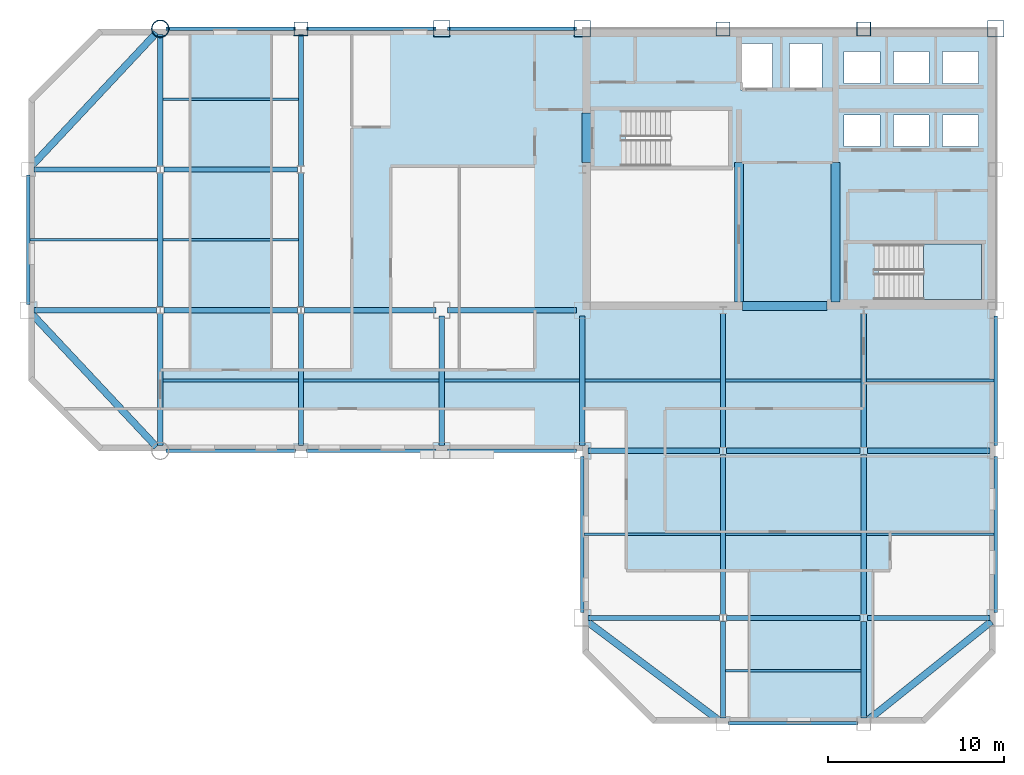
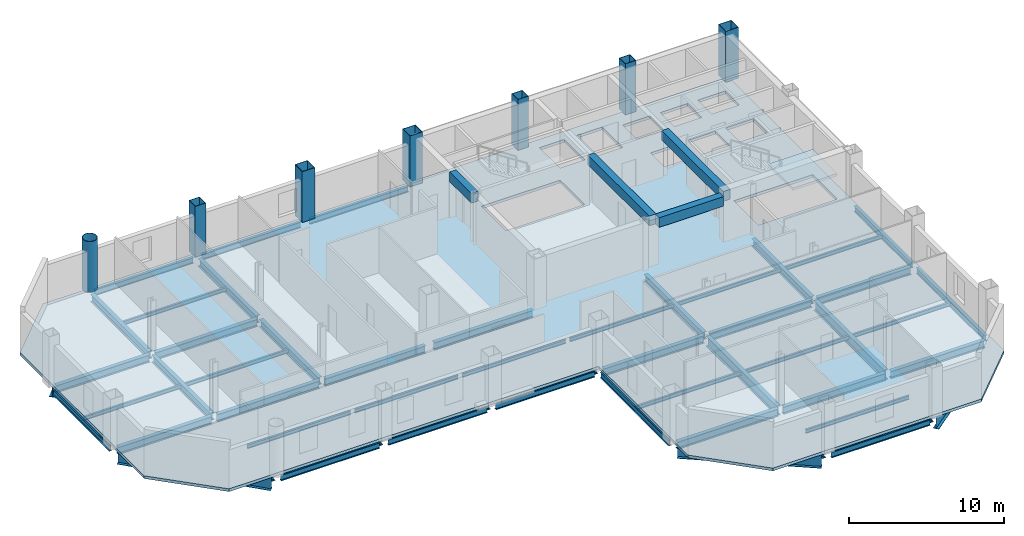
# One storey, part 3 of 11: 58 beams, 7 columns, 2 slabs, 1 element without a shape of its own.
"""IFC4 building model written with IfcOpenShell, lengths in metres."""

from ifc_helpers import new_model, si_unit, direction, frame, origin, origin_2d, place, context, subcontext, project, spatial, polyline, rectangle, hollow_rectangle, hollow_circle, i_section, outline, extrude, material, layer, layer_set, material_profile, profile_set, type_object, element, aggregate, save


model = new_model("IFC4")

# Units and contexts
model_context = context("Model", 3, precision=1e-05, world=origin(), true_north=direction((0.0, 1.0)))
body_context = subcontext(model_context, "Body", "Model", "MODEL_VIEW")
ifc_project = project(units=[si_unit("LENGTHUNIT", "METRE"), si_unit("AREAUNIT", "SQUARE_METRE"), si_unit("VOLUMEUNIT", "CUBIC_METRE"), si_unit("PLANEANGLEUNIT", "RADIAN"), si_unit("MASSUNIT", "GRAM", prefix="KILO")], contexts=[model_context])

# Site, building, storey
site_placement = place(None, origin())
site = spatial("IfcSite", under=ifc_project, at=site_placement, CompositionType="ELEMENT")
building_placement = place(site_placement, origin())
building = spatial("IfcBuilding", under=site, at=building_placement, Name="Qianrong Seaharbour Tower", CompositionType="ELEMENT")
storey_placement = place(building_placement, frame((0.0, 0.0, 277.800048828125)))
storey = spatial("IfcBuildingStorey", under=building, at=storey_placement, Name="L67", CompositionType="ELEMENT", Elevation=277.800048828125)

# Columns
ifc_material_1 = material(Name="Structural steel SN490B", Category="steel")
ifc_material_profile_1 = material_profile(ifc_material_1, hollow_rectangle(XDim=0.949951171875, YDim=0.949951171875, WallThickness=0.035888671875, at=origin_2d()), Name="BOX950x950x36")
ifc_profile_set_1 = profile_set([ifc_material_profile_1], Name="Structural steel SN490B")
column_type_1 = type_object("IfcColumnType", Name="COL-CFT-950", PredefinedType="COLUMN", material=ifc_profile_set_1)
for number, where, z_axis, x_axis, name in (
    (1, (32.5, 52.0, 0.0), (0.0, 0.0, 1.0), (1.0, 0.0, 0.0), "L67 Column MC-4 at G5/GH"),
    (2, (40.5, 52.0, 0.0), (0.0, 0.0, 1.0), (1.0, 0.0, 0.0), "L67 Column MC-4 at G6/GH"),
    (3, (64.0, 52.0, 0.0), (0.0, 0.0, 1.0), (1.0, 0.0, 0.0), "L67 Column MC-4 at G9/GH"),
):
    element("IfcColumn", number, at=place(storey_placement, frame(where, z_axis=z_axis, x_axis=x_axis)), inside=storey, type_object=column_type_1, Name=name, PredefinedType="COLUMN", context=body_context, shape_type="SweptSolid", body=[
        extrude(hollow_rectangle(XDim=0.949951171875, YDim=0.949951171875, WallThickness=0.035888671875, at=origin_2d()), origin(), (0.0, 0.0, 1.0), 4.0),
    ])
ifc_material_profile_2 = material_profile(ifc_material_1, hollow_circle(Radius=0.5, WallThickness=0.035888671875, at=origin_2d()), Name="CHS1000x36")
ifc_profile_set_2 = profile_set([ifc_material_profile_2], Name="Structural steel SN490B")
column_type_2 = type_object("IfcColumnType", Name="COL-CHS-1000", PredefinedType="COLUMN", material=ifc_profile_set_2)
column_placement = place(storey_placement, frame((16.5, 52.0, 0.0), z_axis=(0.0, 0.0, 1.0), x_axis=(1.0, 0.0, 0.0)))
element("IfcColumn", 4, at=column_placement, inside=storey, type_object=column_type_2, Name="L67 Column CC-2 at G3/GH", PredefinedType="COLUMN", context=body_context, shape_type="SweptSolid", body=[
    extrude(hollow_circle(Radius=0.5, WallThickness=0.035888671875, at=origin_2d()), origin(), (0.0, 0.0, 1.0), 4.0),
])
ifc_material_profile_3 = material_profile(ifc_material_1, hollow_rectangle(XDim=0.800048828125, YDim=0.800048828125, WallThickness=0.031982421875, at=origin_2d()), Name="BOX800x800x32")
ifc_profile_set_3 = profile_set([ifc_material_profile_3], Name="Structural steel SN490B")
column_type_3 = type_object("IfcColumnType", Name="COL-PER-800", PredefinedType="COLUMN", material=ifc_profile_set_3)
for number, where, z_axis, x_axis, name in (
    (5, (24.5, 52.0, 0.0), (0.0, 0.0, 1.0), (1.0, 0.0, 0.0), "L67 Column PC-3 at G4/GH"),
    (6, (48.5, 52.0, 0.0), (0.0, 0.0, 1.0), (1.0, 0.0, 0.0), "L67 Column PC-3 at G7/GH"),
    (7, (56.5, 52.0, 0.0), (0.0, 0.0, 1.0), (1.0, 0.0, 0.0), "L67 Column PC-3 at G8/GH"),
):
    element("IfcColumn", number, at=place(storey_placement, frame(where, z_axis=z_axis, x_axis=x_axis)), inside=storey, type_object=column_type_3, Name=name, PredefinedType="COLUMN", context=body_context, shape_type="SweptSolid", body=[
        extrude(hollow_rectangle(XDim=0.800048828125, YDim=0.800048828125, WallThickness=0.031982421875, at=origin_2d()), origin(), (0.0, 0.0, 1.0), 4.0),
    ])

# Beams
ifc_material_profile_4 = material_profile(ifc_material_1, i_section(OverallWidth=0.300048828125, OverallDepth=0.587890625, WebThickness=0.011962890625, FlangeThickness=0.02001953125, FilletRadius=0.02392578125, at=origin_2d()), Name="H588x300x12x20")
ifc_profile_set_4 = profile_set([ifc_material_profile_4], Name="Structural steel SN490B")
beam_type_1 = type_object("IfcBeamType", Name="BM-G-588", PredefinedType="BEAM", material=ifc_profile_set_4)
beam_1_placement = place(storey_placement, frame((40.820068359375, 18.5, -0.51904296875), z_axis=(1.0, 0.0, 0.0), x_axis=(0.0, 1.0, 0.0)))
element("IfcBeam", 8, at=beam_1_placement, inside=storey, type_object=beam_type_1, Name="L67 Primary Girder GD G6-G7", PredefinedType="BEAM", context=body_context, shape_type="SweptSolid", body=[
    extrude(i_section(OverallWidth=0.300048828125, OverallDepth=0.587890625, WebThickness=0.011962890625, FlangeThickness=0.02001953125, FilletRadius=0.02392578125, at=origin_2d()), origin(), (0.0, 0.0, 1.0), 7.47998046875),
])
beam_2_placement = place(storey_placement, frame((48.699951171875, 18.5, -0.51904296875), z_axis=(1.0, 0.0, 0.0), x_axis=(0.0, 1.0, 0.0)))
element("IfcBeam", 9, at=beam_2_placement, inside=storey, type_object=beam_type_1, Name="L67 Primary Girder GD G7-G8", PredefinedType="BEAM", context=body_context, shape_type="SweptSolid", body=[
    extrude(i_section(OverallWidth=0.300048828125, OverallDepth=0.587890625, WebThickness=0.011962890625, FlangeThickness=0.02001953125, FilletRadius=0.02392578125, at=origin_2d()), origin(), (0.0, 0.0, 1.0), 7.60009765625),
])
beam_3_placement = place(storey_placement, frame((56.699951171875, 18.5, -0.51904296875), z_axis=(1.0, 0.0, 0.0), x_axis=(0.0, 1.0, 0.0)))
element("IfcBeam", 10, at=beam_3_placement, inside=storey, type_object=beam_type_1, Name="L67 Primary Girder GD G8-G9", PredefinedType="BEAM", context=body_context, shape_type="SweptSolid", body=[
    extrude(i_section(OverallWidth=0.300048828125, OverallDepth=0.587890625, WebThickness=0.011962890625, FlangeThickness=0.02001953125, FilletRadius=0.02392578125, at=origin_2d()), origin(), (0.0, 0.0, 1.0), 6.97998046875),
])
beam_4_placement = place(storey_placement, frame((40.820068359375, 28.0, -0.51904296875), z_axis=(1.0, 0.0, 0.0), x_axis=(0.0, 1.0, 0.0)))
element("IfcBeam", 11, at=beam_4_placement, inside=storey, type_object=beam_type_1, Name="L67 Primary Girder GE G6-G7", PredefinedType="BEAM", context=body_context, shape_type="SweptSolid", body=[
    extrude(i_section(OverallWidth=0.300048828125, OverallDepth=0.587890625, WebThickness=0.011962890625, FlangeThickness=0.02001953125, FilletRadius=0.02392578125, at=origin_2d()), origin(), (0.0, 0.0, 1.0), 7.47998046875),
])
beam_5_placement = place(storey_placement, frame((48.699951171875, 28.0, -0.51904296875), z_axis=(1.0, 0.0, 0.0), x_axis=(0.0, 1.0, 0.0)))
element("IfcBeam", 12, at=beam_5_placement, inside=storey, type_object=beam_type_1, Name="L67 Primary Girder GE G7-G8", PredefinedType="BEAM", context=body_context, shape_type="SweptSolid", body=[
    extrude(i_section(OverallWidth=0.300048828125, OverallDepth=0.587890625, WebThickness=0.011962890625, FlangeThickness=0.02001953125, FilletRadius=0.02392578125, at=origin_2d()), origin(), (0.0, 0.0, 1.0), 7.60009765625),
])
for number, where, z_axis, x_axis, name in (
    (13, (56.699951171875, 28.0, -0.51904296875), (1.0, 0.0, 0.0), (0.0, 1.0, 0.0), "L67 Primary Girder GE G8-G9"),
    (14, (9.320068359375, 36.0, -0.51904296875), (1.0, 0.0, 0.0), (0.0, 1.0, 0.0), "L67 Primary Girder GF G2-G3"),
):
    element("IfcBeam", number, at=place(storey_placement, frame(where, z_axis=z_axis, x_axis=x_axis)), inside=storey, type_object=beam_type_1, Name=name, PredefinedType="BEAM", context=body_context, shape_type="SweptSolid", body=[
        extrude(i_section(OverallWidth=0.300048828125, OverallDepth=0.587890625, WebThickness=0.011962890625, FlangeThickness=0.02001953125, FilletRadius=0.02392578125, at=origin_2d()), origin(), (0.0, 0.0, 1.0), 6.97998046875),
    ])
beam_6_placement = place(storey_placement, frame((16.699951171875, 36.0, -0.51904296875), z_axis=(1.0, 0.0, 0.0), x_axis=(0.0, 1.0, 0.0)))
element("IfcBeam", 15, at=beam_6_placement, inside=storey, type_object=beam_type_1, Name="L67 Primary Girder GF G3-G4", PredefinedType="BEAM", context=body_context, shape_type="SweptSolid", body=[
    extrude(i_section(OverallWidth=0.300048828125, OverallDepth=0.587890625, WebThickness=0.011962890625, FlangeThickness=0.02001953125, FilletRadius=0.02392578125, at=origin_2d()), origin(), (0.0, 0.0, 1.0), 7.60009765625),
])
beam_7_placement = place(storey_placement, frame((24.699951171875, 36.0, -0.51904296875), z_axis=(1.0, 0.0, 0.0), x_axis=(0.0, 1.0, 0.0)))
element("IfcBeam", 16, at=beam_7_placement, inside=storey, type_object=beam_type_1, Name="L67 Primary Girder GF G4-G5", PredefinedType="BEAM", context=body_context, shape_type="SweptSolid", body=[
    extrude(i_section(OverallWidth=0.300048828125, OverallDepth=0.587890625, WebThickness=0.011962890625, FlangeThickness=0.02001953125, FilletRadius=0.02392578125, at=origin_2d()), origin(), (0.0, 0.0, 1.0), 7.47998046875),
])
beam_8_placement = place(storey_placement, frame((32.820068359375, 36.0, -0.51904296875), z_axis=(1.0, 0.0, 0.0), x_axis=(0.0, 1.0, 0.0)))
element("IfcBeam", 17, at=beam_8_placement, inside=storey, type_object=beam_type_1, Name="L67 Primary Girder GF G5-G6", PredefinedType="BEAM", context=body_context, shape_type="SweptSolid", body=[
    extrude(i_section(OverallWidth=0.300048828125, OverallDepth=0.587890625, WebThickness=0.011962890625, FlangeThickness=0.02001953125, FilletRadius=0.02392578125, at=origin_2d()), origin(), (0.0, 0.0, 1.0), 7.35986328125),
])
beam_9_placement = place(storey_placement, frame((9.320068359375, 44.0, -0.51904296875), z_axis=(1.0, 0.0, 0.0), x_axis=(0.0, 1.0, 0.0)))
element("IfcBeam", 18, at=beam_9_placement, inside=storey, type_object=beam_type_1, Name="L67 Primary Girder GG G2-G3", PredefinedType="BEAM", context=body_context, shape_type="SweptSolid", body=[
    extrude(i_section(OverallWidth=0.300048828125, OverallDepth=0.587890625, WebThickness=0.011962890625, FlangeThickness=0.02001953125, FilletRadius=0.02392578125, at=origin_2d()), origin(), (0.0, 0.0, 1.0), 6.97998046875),
])
beam_10_placement = place(storey_placement, frame((16.699951171875, 44.0, -0.51904296875), z_axis=(1.0, 0.0, 0.0), x_axis=(0.0, 1.0, 0.0)))
element("IfcBeam", 19, at=beam_10_placement, inside=storey, type_object=beam_type_1, Name="L67 Primary Girder GG G3-G4", PredefinedType="BEAM", context=body_context, shape_type="SweptSolid", body=[
    extrude(i_section(OverallWidth=0.300048828125, OverallDepth=0.587890625, WebThickness=0.011962890625, FlangeThickness=0.02001953125, FilletRadius=0.02392578125, at=origin_2d()), origin(), (0.0, 0.0, 1.0), 7.60009765625),
])
beam_11_placement = place(storey_placement, frame((16.5, 28.320068359375, -0.51904296875), z_axis=(0.0, 1.0, 0.0), x_axis=(-1.0, 0.0, 0.0)))
element("IfcBeam", 20, at=beam_11_placement, inside=storey, type_object=beam_type_1, Name="L67 Primary Girder G3 GE-GF", PredefinedType="BEAM", context=body_context, shape_type="SweptSolid", body=[
    extrude(i_section(OverallWidth=0.300048828125, OverallDepth=0.587890625, WebThickness=0.011962890625, FlangeThickness=0.02001953125, FilletRadius=0.02392578125, at=origin_2d()), origin(), (0.0, 0.0, 1.0), 7.47998046875),
])
beam_12_placement = place(storey_placement, frame((16.5, 36.199951171875, -0.51904296875), z_axis=(0.0, 1.0, 0.0), x_axis=(-1.0, 0.0, 0.0)))
element("IfcBeam", 21, at=beam_12_placement, inside=storey, type_object=beam_type_1, Name="L67 Primary Girder G3 GF-GG", PredefinedType="BEAM", context=body_context, shape_type="SweptSolid", body=[
    extrude(i_section(OverallWidth=0.300048828125, OverallDepth=0.587890625, WebThickness=0.011962890625, FlangeThickness=0.02001953125, FilletRadius=0.02392578125, at=origin_2d()), origin(), (0.0, 0.0, 1.0), 7.60009765625),
])
for number, where, z_axis, x_axis, name in (
    (22, (16.5, 44.199951171875, -0.51904296875), (0.0, 1.0, 0.0), (-1.0, 0.0, 0.0), "L67 Primary Girder G3 GG-GH"),
    (23, (24.5, 28.320068359375, -0.51904296875), (0.0, 1.0, 0.0), (-1.0, 0.0, 0.0), "L67 Primary Girder G4 GE-GF"),
):
    element("IfcBeam", number, at=place(storey_placement, frame(where, z_axis=z_axis, x_axis=x_axis)), inside=storey, type_object=beam_type_1, Name=name, PredefinedType="BEAM", context=body_context, shape_type="SweptSolid", body=[
        extrude(i_section(OverallWidth=0.300048828125, OverallDepth=0.587890625, WebThickness=0.011962890625, FlangeThickness=0.02001953125, FilletRadius=0.02392578125, at=origin_2d()), origin(), (0.0, 0.0, 1.0), 7.47998046875),
    ])
beam_13_placement = place(storey_placement, frame((24.5, 36.199951171875, -0.51904296875), z_axis=(0.0, 1.0, 0.0), x_axis=(-1.0, 0.0, 0.0)))
element("IfcBeam", 24, at=beam_13_placement, inside=storey, type_object=beam_type_1, Name="L67 Primary Girder G4 GF-GG", PredefinedType="BEAM", context=body_context, shape_type="SweptSolid", body=[
    extrude(i_section(OverallWidth=0.300048828125, OverallDepth=0.587890625, WebThickness=0.011962890625, FlangeThickness=0.02001953125, FilletRadius=0.02392578125, at=origin_2d()), origin(), (0.0, 0.0, 1.0), 7.60009765625),
])
beam_14_placement = place(storey_placement, frame((24.5, 44.199951171875, -0.51904296875), z_axis=(0.0, 1.0, 0.0), x_axis=(-1.0, 0.0, 0.0)))
element("IfcBeam", 25, at=beam_14_placement, inside=storey, type_object=beam_type_1, Name="L67 Primary Girder G4 GG-GH", PredefinedType="BEAM", context=body_context, shape_type="SweptSolid", body=[
    extrude(i_section(OverallWidth=0.300048828125, OverallDepth=0.587890625, WebThickness=0.011962890625, FlangeThickness=0.02001953125, FilletRadius=0.02392578125, at=origin_2d()), origin(), (0.0, 0.0, 1.0), 7.47998046875),
])
for number, where, z_axis, x_axis, name in (
    (26, (32.5, 28.320068359375, -0.51904296875), (0.0, 1.0, 0.0), (-1.0, 0.0, 0.0), "L67 Primary Girder G5 GE-GF"),
    (27, (40.5, 28.320068359375, -0.51904296875), (0.0, 1.0, 0.0), (-1.0, 0.0, 0.0), "L67 Primary Girder G6 GE-GF"),
):
    element("IfcBeam", number, at=place(storey_placement, frame(where, z_axis=z_axis, x_axis=x_axis)), inside=storey, type_object=beam_type_1, Name=name, PredefinedType="BEAM", context=body_context, shape_type="SweptSolid", body=[
        extrude(i_section(OverallWidth=0.300048828125, OverallDepth=0.587890625, WebThickness=0.011962890625, FlangeThickness=0.02001953125, FilletRadius=0.02392578125, at=origin_2d()), origin(), (0.0, 0.0, 1.0), 7.35986328125),
    ])
beam_15_placement = place(storey_placement, frame((48.5, 12.820068359375, -0.51904296875), z_axis=(0.0, 1.0, 0.0), x_axis=(-1.0, 0.0, 0.0)))
element("IfcBeam", 28, at=beam_15_placement, inside=storey, type_object=beam_type_1, Name="L67 Primary Girder G7 GC-GD", PredefinedType="BEAM", context=body_context, shape_type="SweptSolid", body=[
    extrude(i_section(OverallWidth=0.300048828125, OverallDepth=0.587890625, WebThickness=0.011962890625, FlangeThickness=0.02001953125, FilletRadius=0.02392578125, at=origin_2d()), origin(), (0.0, 0.0, 1.0), 5.47998046875),
])
beam_16_placement = place(storey_placement, frame((48.5, 28.199951171875, -0.51904296875), z_axis=(0.0, 1.0, 0.0), x_axis=(-1.0, 0.0, 0.0)))
element("IfcBeam", 29, at=beam_16_placement, inside=storey, type_object=beam_type_1, Name="L67 Primary Girder G7 GE-GF", PredefinedType="BEAM", context=body_context, shape_type="SweptSolid", body=[
    extrude(i_section(OverallWidth=0.300048828125, OverallDepth=0.587890625, WebThickness=0.011962890625, FlangeThickness=0.02001953125, FilletRadius=0.02392578125, at=origin_2d()), origin(), (0.0, 0.0, 1.0), 7.60009765625),
])
beam_17_placement = place(storey_placement, frame((56.5, 12.820068359375, -0.51904296875), z_axis=(0.0, 1.0, 0.0), x_axis=(-1.0, 0.0, 0.0)))
element("IfcBeam", 30, at=beam_17_placement, inside=storey, type_object=beam_type_1, Name="L67 Primary Girder G8 GC-GD", PredefinedType="BEAM", context=body_context, shape_type="SweptSolid", body=[
    extrude(i_section(OverallWidth=0.300048828125, OverallDepth=0.587890625, WebThickness=0.011962890625, FlangeThickness=0.02001953125, FilletRadius=0.02392578125, at=origin_2d()), origin(), (0.0, 0.0, 1.0), 5.47998046875),
])
beam_18_placement = place(storey_placement, frame((56.5, 28.199951171875, -0.51904296875), z_axis=(0.0, 1.0, 0.0), x_axis=(-1.0, 0.0, 0.0)))
element("IfcBeam", 31, at=beam_18_placement, inside=storey, type_object=beam_type_1, Name="L67 Primary Girder G8 GE-GF", PredefinedType="BEAM", context=body_context, shape_type="SweptSolid", body=[
    extrude(i_section(OverallWidth=0.300048828125, OverallDepth=0.587890625, WebThickness=0.011962890625, FlangeThickness=0.02001953125, FilletRadius=0.02392578125, at=origin_2d()), origin(), (0.0, 0.0, 1.0), 7.60009765625),
])
ifc_material_profile_5 = material_profile(ifc_material_1, i_section(OverallWidth=0.300048828125, OverallDepth=0.800048828125, WebThickness=0.013916015625, FlangeThickness=0.02587890625, FilletRadius=0.028076171875, at=origin_2d()), Name="H800x300x14x26")
ifc_profile_set_5 = profile_set([ifc_material_profile_5], Name="Structural steel SN490B")
beam_type_2 = type_object("IfcBeamType", Name="BM-G-800", PredefinedType="BEAM", material=ifc_profile_set_5)
for number, where, z_axis, x_axis, name in (
    (32, (48.5, 18.699951171875, -0.625), (0.0, 1.0, 0.0), (-1.0, 0.0, 0.0), "L67 Primary Girder G7 GD-GE"),
    (33, (56.5, 18.699951171875, -0.625), (0.0, 1.0, 0.0), (-1.0, 0.0, 0.0), "L67 Primary Girder G8 GD-GE"),
):
    element("IfcBeam", number, at=place(storey_placement, frame(where, z_axis=z_axis, x_axis=x_axis)), inside=storey, type_object=beam_type_2, Name=name, PredefinedType="BEAM", context=body_context, shape_type="SweptSolid", body=[
        extrude(i_section(OverallWidth=0.300048828125, OverallDepth=0.800048828125, WebThickness=0.013916015625, FlangeThickness=0.02587890625, FilletRadius=0.028076171875, at=origin_2d()), origin(), (0.0, 0.0, 1.0), 9.10009765625),
    ])
ifc_material_2 = material(Name="Structural steel SN400B", Category="steel")
ifc_material_profile_6 = material_profile(ifc_material_2, i_section(OverallWidth=0.14990234375, OverallDepth=0.300048828125, WebThickness=0.006591796875, FlangeThickness=0.009033203125, FilletRadius=0.012939453125, at=origin_2d()), Name="H300x150x6.5x9")
ifc_profile_set_6 = profile_set([ifc_material_profile_6], Name="Structural steel SN400B")
beam_type_3 = type_object("IfcBeamType", Name="BM-J-300", PredefinedType="JOIST", material=ifc_profile_set_6)
beam_19_placement = place(storey_placement, frame((9.10009765625, 40.0, -0.375), z_axis=(1.0, 0.0, 0.0), x_axis=(0.0, 1.0, 0.0)))
element("IfcBeam", 34, at=beam_19_placement, inside=storey, type_object=beam_type_3, Name="L67 Composite Floor Joist G2-G3/GF-GG", PredefinedType="JOIST", context=body_context, shape_type="SweptSolid", body=[
    extrude(i_section(OverallWidth=0.14990234375, OverallDepth=0.300048828125, WebThickness=0.006591796875, FlangeThickness=0.009033203125, FilletRadius=0.012939453125, at=origin_2d()), origin(), (0.0, 0.0, 1.0), 7.25),
])
for number, where, z_axis, x_axis, name in (
    (35, (16.64990234375, 32.0, -0.375), (1.0, 0.0, 0.0), (0.0, 1.0, 0.0), "L67 Composite Floor Joist G3-G4/GE-GF"),
    (36, (16.64990234375, 40.0, -0.375), (1.0, 0.0, 0.0), (0.0, 1.0, 0.0), "L67 Composite Floor Joist G3-G4/GF-GG"),
    (37, (16.64990234375, 48.0, -0.375), (1.0, 0.0, 0.0), (0.0, 1.0, 0.0), "L67 Composite Floor Joist G3-G4/GG-GH"),
    (38, (24.64990234375, 32.0, -0.375), (1.0, 0.0, 0.0), (0.0, 1.0, 0.0), "L67 Composite Floor Joist G4-G5/GE-GF"),
    (39, (32.64990234375, 32.0, -0.375), (1.0, 0.0, 0.0), (0.0, 1.0, 0.0), "L67 Composite Floor Joist G5-G6/GE-GF"),
):
    element("IfcBeam", number, at=place(storey_placement, frame(where, z_axis=z_axis, x_axis=x_axis)), inside=storey, type_object=beam_type_3, Name=name, PredefinedType="JOIST", context=body_context, shape_type="SweptSolid", body=[
        extrude(i_section(OverallWidth=0.14990234375, OverallDepth=0.300048828125, WebThickness=0.006591796875, FlangeThickness=0.009033203125, FilletRadius=0.012939453125, at=origin_2d()), origin(), (0.0, 0.0, 1.0), 7.7001953125),
    ])
beam_20_placement = place(storey_placement, frame((40.60009765625, 23.25, -0.375), z_axis=(1.0, 0.0, 0.0), x_axis=(0.0, 1.0, 0.0)))
element("IfcBeam", 40, at=beam_20_placement, inside=storey, type_object=beam_type_3, Name="L67 Composite Floor Joist G6-G7/GD-GE", PredefinedType="JOIST", context=body_context, shape_type="SweptSolid", body=[
    extrude(i_section(OverallWidth=0.14990234375, OverallDepth=0.300048828125, WebThickness=0.006591796875, FlangeThickness=0.009033203125, FilletRadius=0.012939453125, at=origin_2d()), origin(), (0.0, 0.0, 1.0), 7.75),
])
for number, where, z_axis, x_axis, name in (
    (41, (40.64990234375, 32.0, -0.375), (1.0, 0.0, 0.0), (0.0, 1.0, 0.0), "L67 Composite Floor Joist G6-G7/GE-GF"),
    (42, (48.64990234375, 15.5, -0.375), (1.0, 0.0, 0.0), (0.0, 1.0, 0.0), "L67 Composite Floor Joist G7-G8/GC-GD"),
    (43, (48.64990234375, 23.25, -0.375), (1.0, 0.0, 0.0), (0.0, 1.0, 0.0), "L67 Composite Floor Joist G7-G8/GD-GE"),
    (44, (48.64990234375, 32.0, -0.375), (1.0, 0.0, 0.0), (0.0, 1.0, 0.0), "L67 Composite Floor Joist G7-G8/GE-GF"),
):
    element("IfcBeam", number, at=place(storey_placement, frame(where, z_axis=z_axis, x_axis=x_axis)), inside=storey, type_object=beam_type_3, Name=name, PredefinedType="JOIST", context=body_context, shape_type="SweptSolid", body=[
        extrude(i_section(OverallWidth=0.14990234375, OverallDepth=0.300048828125, WebThickness=0.006591796875, FlangeThickness=0.009033203125, FilletRadius=0.012939453125, at=origin_2d()), origin(), (0.0, 0.0, 1.0), 7.7001953125),
    ])
for number, where, z_axis, x_axis, name in (
    (45, (56.64990234375, 23.25, -0.375), (1.0, 0.0, 0.0), (0.0, 1.0, 0.0), "L67 Composite Floor Joist G8-G9/GD-GE"),
    (46, (56.64990234375, 32.0, -0.375), (1.0, 0.0, 0.0), (0.0, 1.0, 0.0), "L67 Composite Floor Joist G8-G9/GE-GF"),
):
    element("IfcBeam", number, at=place(storey_placement, frame(where, z_axis=z_axis, x_axis=x_axis)), inside=storey, type_object=beam_type_3, Name=name, PredefinedType="JOIST", context=body_context, shape_type="SweptSolid", body=[
        extrude(i_section(OverallWidth=0.14990234375, OverallDepth=0.300048828125, WebThickness=0.006591796875, FlangeThickness=0.009033203125, FilletRadius=0.012939453125, at=origin_2d()), origin(), (0.0, 0.0, 1.0), 7.25),
    ])
ifc_material_3 = material(Name="Concrete C60/75", Category="concrete")
ifc_material_profile_7 = material_profile(ifc_material_3, rectangle(XDim=0.5, YDim=0.75, at=origin_2d()), Name="RC500x750")
ifc_profile_set_7 = profile_set([ifc_material_profile_7], Name="Concrete C60/75")
beam_type_4 = type_object("IfcBeamType", Name="BM-LINTEL-750", PredefinedType="LINTEL", material=ifc_profile_set_7)
beam_21_placement = place(storey_placement, frame((40.72998046875, 44.39990234375, 3.27490234375), z_axis=(0.0, 1.0, 0.0), x_axis=(-1.0, 0.0, 0.0)))
element("IfcBeam", 47, at=beam_21_placement, inside=storey, type_object=beam_type_4, Name="L67 Core Coupling Lintel Beam West", PredefinedType="LINTEL", context=body_context, shape_type="SweptSolid", body=[
    extrude(rectangle(XDim=0.5, YDim=0.75, at=origin_2d()), origin(), (0.0, 0.0, 1.0), 2.800048828125),
])
beam_22_placement = place(storey_placement, frame((49.60009765625, 36.22998046875, 3.27490234375), z_axis=(1.0, 0.0, 0.0), x_axis=(0.0, 1.0, 0.0)))
element("IfcBeam", 48, at=beam_22_placement, inside=storey, type_object=beam_type_4, Name="L67 Core Coupling Lintel Beam CBC", PredefinedType="LINTEL", context=body_context, shape_type="SweptSolid", body=[
    extrude(rectangle(XDim=0.5, YDim=0.75, at=origin_2d()), origin(), (0.0, 0.0, 1.0), 4.7998046875),
])
for number, where, z_axis, x_axis, name in (
    (49, (49.39990234375, 36.4599609375, 3.27490234375), (0.0, 1.0, 0.0), (-1.0, 0.0, 0.0), "L67 Internal Core Coupling Beam IW1"),
    (50, (54.89990234375, 36.4599609375, 3.27490234375), (0.0, 1.0, 0.0), (-1.0, 0.0, 0.0), "L67 Internal Core Coupling Beam IW2"),
):
    element("IfcBeam", number, at=place(storey_placement, frame(where, z_axis=z_axis, x_axis=x_axis)), inside=storey, type_object=beam_type_4, Name=name, PredefinedType="LINTEL", context=body_context, shape_type="SweptSolid", body=[
        extrude(rectangle(XDim=0.5, YDim=0.75, at=origin_2d()), origin(), (0.0, 0.0, 1.0), 7.93994140625),
    ])
ifc_material_profile_8 = material_profile(ifc_material_2, i_section(OverallWidth=0.199951171875, OverallDepth=0.449951171875, WebThickness=0.009033203125, FlangeThickness=0.013916015625, FilletRadius=0.01806640625, at=origin_2d()), Name="H450x200x9x14")
ifc_profile_set_8 = profile_set([ifc_material_profile_8], Name="Structural steel SN400B")
beam_type_5 = type_object("IfcBeamType", Name="BM-SP-450", PredefinedType="SPANDREL", material=ifc_profile_set_8)
for number, where, z_axis, x_axis, name in (
    (51, (48.820068359375, 12.5, -0.449951171875), (1.0, 0.0, 0.0), (0.0, 1.0, 0.0), "L67 Spandrel Girder GC G7-G8"),
    (52, (16.820068359375, 28.0, -0.449951171875), (1.0, 0.0, 0.0), (0.0, 1.0, 0.0), "L67 Spandrel Girder GE G3-G4"),
    (53, (24.820068359375, 28.0, -0.449951171875), (1.0, 0.0, 0.0), (0.0, 1.0, 0.0), "L67 Spandrel Girder GE G4-G5"),
    (54, (32.820068359375, 28.0, -0.449951171875), (1.0, 0.0, 0.0), (0.0, 1.0, 0.0), "L67 Spandrel Girder GE G5-G6"),
    (55, (16.820068359375, 52.0, -0.449951171875), (1.0, 0.0, 0.0), (0.0, 1.0, 0.0), "L67 Spandrel Girder GH G3-G4"),
    (56, (24.820068359375, 52.0, -0.449951171875), (1.0, 0.0, 0.0), (0.0, 1.0, 0.0), "L67 Spandrel Girder GH G4-G5"),
    (57, (32.820068359375, 52.0, -0.449951171875), (1.0, 0.0, 0.0), (0.0, 1.0, 0.0), "L67 Spandrel Girder GH G5-G6"),
    (58, (9.0, 36.320068359375, -0.449951171875), (0.0, 1.0, 0.0), (-1.0, 0.0, 0.0), "L67 Spandrel Girder G2 GF-GG"),
):
    element("IfcBeam", number, at=place(storey_placement, frame(where, z_axis=z_axis, x_axis=x_axis)), inside=storey, type_object=beam_type_5, Name=name, PredefinedType="SPANDREL", context=body_context, shape_type="SweptSolid", body=[
        extrude(i_section(OverallWidth=0.199951171875, OverallDepth=0.449951171875, WebThickness=0.009033203125, FlangeThickness=0.013916015625, FilletRadius=0.01806640625, at=origin_2d()), origin(), (0.0, 0.0, 1.0), 7.35986328125),
    ])
for number, where, z_axis, x_axis, name in (
    (59, (40.5, 18.820068359375, -0.449951171875), (0.0, 1.0, 0.0), (-1.0, 0.0, 0.0), "L67 Spandrel Girder G6 GD-GE"),
    (60, (64.0, 18.820068359375, -0.449951171875), (0.0, 1.0, 0.0), (-1.0, 0.0, 0.0), "L67 Spandrel Girder G9 GD-GE"),
):
    element("IfcBeam", number, at=place(storey_placement, frame(where, z_axis=z_axis, x_axis=x_axis)), inside=storey, type_object=beam_type_5, Name=name, PredefinedType="SPANDREL", context=body_context, shape_type="SweptSolid", body=[
        extrude(i_section(OverallWidth=0.199951171875, OverallDepth=0.449951171875, WebThickness=0.009033203125, FlangeThickness=0.013916015625, FilletRadius=0.01806640625, at=origin_2d()), origin(), (0.0, 0.0, 1.0), 8.85986328125),
    ])
beam_23_placement = place(storey_placement, frame((64.0, 28.320068359375, -0.449951171875), z_axis=(0.0, 1.0, 0.0), x_axis=(-1.0, 0.0, 0.0)))
element("IfcBeam", 61, at=beam_23_placement, inside=storey, type_object=beam_type_5, Name="L67 Spandrel Girder G9 GE-GF", PredefinedType="SPANDREL", context=body_context, shape_type="SweptSolid", body=[
    extrude(i_section(OverallWidth=0.199951171875, OverallDepth=0.449951171875, WebThickness=0.009033203125, FlangeThickness=0.013916015625, FilletRadius=0.01806640625, at=origin_2d()), origin(), (0.0, 0.0, 1.0), 7.35986328125),
])
ifc_material_profile_9 = material_profile(ifc_material_1, i_section(OverallWidth=0.39990234375, OverallDepth=1.10009765625, WebThickness=0.02001953125, FlangeThickness=0.035888671875, at=origin_2d()), Name="BH1100x400x20x36")
ifc_profile_set_9 = profile_set([ifc_material_profile_9], Name="Structural steel SN490B")
beam_type_6 = type_object("IfcBeamType", Name="BM-TG-1100", PredefinedType="BEAM", material=ifc_profile_set_9)
for number, where, z_axis, x_axis, name in (
    (62, (16.28125, 28.2333984375, -0.775146484375), (-0.683947420573, 0.729531305628, 0.0), (-0.729531305628, -0.683947420573, 0.0), "L67 Chamfer Corner Spandrel Girder G2/GE"),
    (63, (16.28125, 51.7666015625, -0.775146484375), (-0.683947420573, -0.729531305628, 0.0), (0.729531305628, -0.683947420573, 0.0), "L67 Chamfer Corner Spandrel Girder G2/GH"),
):
    element("IfcBeam", number, at=place(storey_placement, frame(where, z_axis=z_axis, x_axis=x_axis)), inside=storey, type_object=beam_type_6, Name=name, PredefinedType="BEAM", context=body_context, shape_type="SweptSolid", body=[
        extrude(i_section(OverallWidth=0.39990234375, OverallDepth=1.10009765625, WebThickness=0.02001953125, FlangeThickness=0.035888671875, at=origin_2d()), origin(), (0.0, 0.0, 1.0), 10.326171875),
    ])
beam_24_placement = place(storey_placement, frame((48.243896484375, 12.69189453125, -0.775146484375), z_axis=(-0.799981219482, 0.600025039875, 0.0), x_axis=(-0.600025039875, -0.799981219482, 0.0)))
element("IfcBeam", 64, at=beam_24_placement, inside=storey, type_object=beam_type_6, Name="L67 Chamfer Corner Spandrel Girder G6/GC", PredefinedType="BEAM", context=body_context, shape_type="SweptSolid", body=[
    extrude(i_section(OverallWidth=0.39990234375, OverallDepth=1.10009765625, WebThickness=0.02001953125, FlangeThickness=0.035888671875, at=origin_2d()), origin(), (0.0, 0.0, 1.0), 9.35986328125),
])
beam_25_placement = place(storey_placement, frame((56.75, 12.699951171875, -0.775146484375), z_axis=(0.780863495394, 0.624701690058, 0.0), x_axis=(-0.624701690058, 0.780863495394, 0.0)))
element("IfcBeam", 65, at=beam_25_placement, inside=storey, type_object=beam_type_6, Name="L67 Chamfer Corner Spandrel Girder G9/GC", PredefinedType="BEAM", context=body_context, shape_type="SweptSolid", body=[
    extrude(i_section(OverallWidth=0.39990234375, OverallDepth=1.10009765625, WebThickness=0.02001953125, FlangeThickness=0.035888671875, at=origin_2d()), origin(), (0.0, 0.0, 1.0), 8.96435546875),
])

# Stair, slab
ifc_material_4 = material(Name="Concrete C50/60", Category="concrete")
stair_type = type_object("IfcStairType", Name="STAIR-DOGLEG-1500-R22", PredefinedType="HALF_TURN_STAIR", material=ifc_material_4)
stair_placement = place(storey_placement, origin())
stair = element("IfcStair", 66, at=stair_placement, inside=storey, type_object=stair_type, Name="L67 Protected Escape Stair ST-2", PredefinedType="HALF_TURN_STAIR")
ifc_layer_1 = layer(ifc_material_4, 0.199951171875)
ifc_layer_set_1 = layer_set([ifc_layer_1], Name="Concrete C50/60")
slab_type_1 = type_object("IfcSlabType", Name="SLAB-STAIR-LANDING-200", PredefinedType="LANDING", material=ifc_layer_set_1)
slab_1_placement = place(storey_placement, frame((0.0, 0.0, 1.800048828125)))
slab_1 = element("IfcSlab", 67, at=slab_1_placement, type_object=slab_type_1, Name="ST-2 landing 1", PredefinedType="LANDING", context=body_context, shape_type="SweptSolid", body=[
    extrude(outline(polyline([(59.89990234375, 36.60009765625), (63.199951171875, 36.60009765625), (63.199951171875, 39.75), (59.89990234375, 39.75), (59.89990234375, 36.60009765625)])), origin(), (0.0, 0.0, 1.0), 0.199951171875),
])
aggregate(stair, [slab_1])

# Slab
ifc_layer_2 = layer(ifc_material_4, 0.22509765625)
ifc_layer_set_2 = layer_set([ifc_layer_2], Name="Concrete C50/60")
slab_type_2 = type_object("IfcSlabType", Name="SLAB-Z3-225", PredefinedType="FLOOR", material=ifc_layer_set_2)
slab_2_placement = place(storey_placement, frame((0.0, 0.0, -0.22509765625)))
element("IfcSlab", 68, at=slab_2_placement, inside=storey, type_object=slab_type_2, Name="L67 Structural Floor Slab", PredefinedType="FLOOR", context=body_context, shape_type="SweptSolid", body=[
    extrude(outline(polyline([(44.5, 12.5), (60.0, 12.5), (64.0, 16.5), (64.0, 52.0), (13.0, 52.0), (9.0, 48.0), (9.0, 32.0), (13.0, 28.0), (40.5, 28.0), (40.5, 16.5), (44.5, 12.5)]), holes=[polyline([(42.93994140625, 44.199951171875), (42.93994140625, 47.35009765625), (48.800048828125, 47.35009765625), (48.800048828125, 44.199951171875), (42.93994140625, 44.199951171875)]), polyline([(57.340087890625, 36.60009765625), (57.340087890625, 39.75), (63.199951171875, 39.75), (63.199951171875, 36.60009765625), (57.340087890625, 36.60009765625)]), polyline([(49.47998046875, 48.530029296875), (49.47998046875, 51.169921875), (51.320068359375, 51.169921875), (51.320068359375, 48.530029296875), (49.47998046875, 48.530029296875)]), polyline([(52.280029296875, 48.530029296875), (52.280029296875, 51.169921875), (54.1201171875, 51.169921875), (54.1201171875, 48.530029296875), (52.280029296875, 48.530029296875)]), polyline([(55.3798828125, 45.300048828125), (55.3798828125, 47.10009765625), (57.419921875, 47.10009765625), (57.419921875, 45.300048828125), (55.3798828125, 45.300048828125)]), polyline([(58.179931640625, 45.300048828125), (58.179931640625, 47.10009765625), (60.219970703125, 47.10009765625), (60.219970703125, 45.300048828125), (58.179931640625, 45.300048828125)]), polyline([(60.97998046875, 45.300048828125), (60.97998046875, 47.10009765625), (63.02001953125, 47.10009765625), (63.02001953125, 45.300048828125), (60.97998046875, 45.300048828125)]), polyline([(55.3798828125, 48.89990234375), (55.3798828125, 50.699951171875), (57.419921875, 50.699951171875), (57.419921875, 48.89990234375), (55.3798828125, 48.89990234375)]), polyline([(58.179931640625, 48.89990234375), (58.179931640625, 50.699951171875), (60.219970703125, 50.699951171875), (60.219970703125, 48.89990234375), (58.179931640625, 48.89990234375)]), polyline([(60.97998046875, 48.89990234375), (60.97998046875, 50.699951171875), (63.02001953125, 50.699951171875), (63.02001953125, 48.89990234375), (60.97998046875, 48.89990234375)])]), origin(), (0.0, 0.0, 1.0), 0.22509765625),
])

save(model, "model.ifc")
